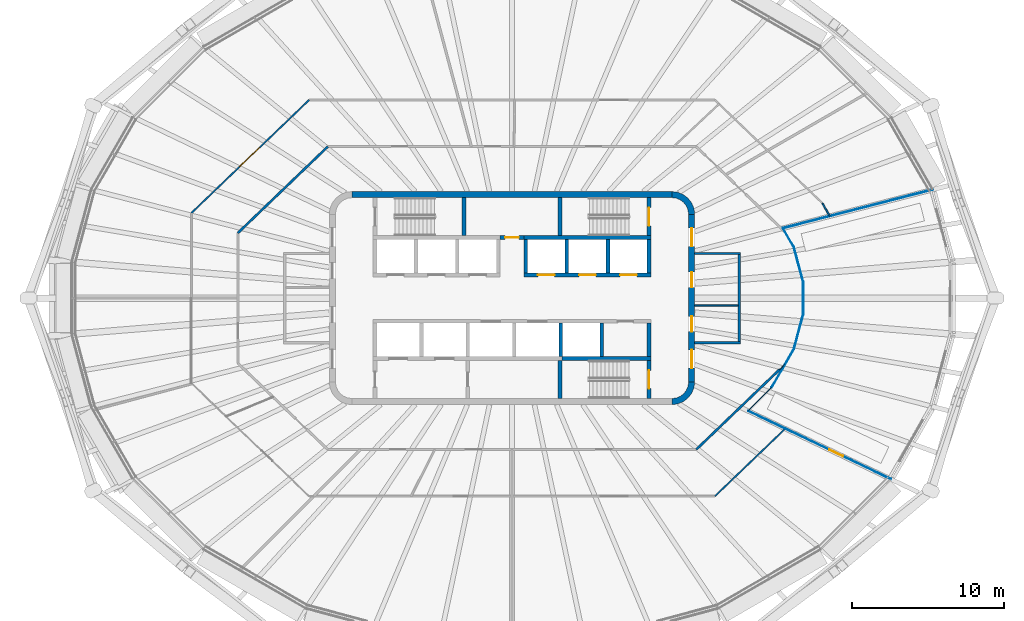
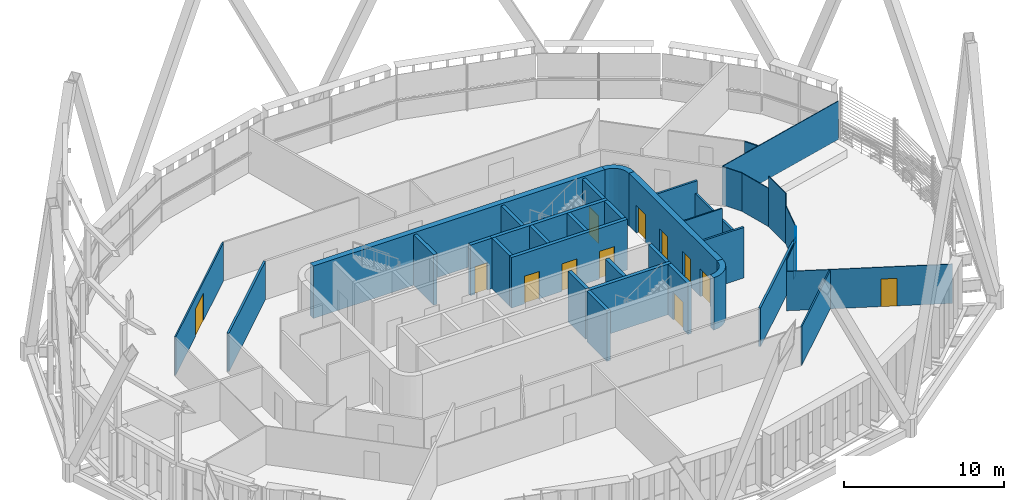
# One storey, part 13 of 22: 38 walls, 12 doors, 12 openings.
"""IFC4 building model written with IfcOpenShell, lengths in metres."""

from ifc_helpers import new_model, si_unit, direction, frame, frame_2d, origin, place, context, subcontext, project, spatial, polyline, rectangle, outline, extrude, material, layer, layer_set, type_object, element, fill, save


model = new_model("IFC4")

# Units and contexts
model_context = context("Model", 3, precision=1e-05, world=origin(), true_north=direction((0.0, 1.0)))
body_context = subcontext(model_context, "Body", "Model", "MODEL_VIEW")
ifc_project = project(units=[si_unit("LENGTHUNIT", "METRE"), si_unit("AREAUNIT", "SQUARE_METRE"), si_unit("VOLUMEUNIT", "CUBIC_METRE"), si_unit("PLANEANGLEUNIT", "RADIAN"), si_unit("MASSUNIT", "GRAM", prefix="KILO")], contexts=[model_context])

# Site, building, storey
site_placement = place(None, origin())
site = spatial("IfcSite", under=ifc_project, at=site_placement, CompositionType="ELEMENT")
building_placement = place(site_placement, origin())
building = spatial("IfcBuilding", under=site, at=building_placement, Name="Sahrelin Media Tower", CompositionType="ELEMENT")
storey_placement = place(building_placement, frame((0.0, 0.0, 283.0)))
storey = spatial("IfcBuildingStorey", under=building, at=storey_placement, Name="L62", CompositionType="ELEMENT", Elevation=283.0)

# Wall
ifc_material_1 = material(Name="Concrete C60/75", Category="concrete")
ifc_layer_1 = layer(ifc_material_1, 0.39990234375)
ifc_layer_set_1 = layer_set([ifc_layer_1], Name="Core wall 400")
wall_type_1 = type_object("IfcWallType", Name="Core wall 400", PredefinedType="SHEAR", material=ifc_layer_set_1)
wall_1_placement = place(storey_placement, frame((-10.5, 6.800048828125, 0.0), z_axis=(0.0, 0.0, 1.0), x_axis=(1.0, 0.0, 0.0)))
element("IfcWall", 1, at=wall_1_placement, inside=storey, type_object=wall_type_1, Name="Core wall N L62", PredefinedType="SHEAR", context=body_context, shape_type="SweptSolid", body=[
    extrude(rectangle(XDim=21.0, YDim=0.39990234375, at=frame_2d((10.5, 0.0))), origin(), (0.0, 0.0, 1.0), 4.0),
])

# Wall, openings, doors
wall_2_placement = place(storey_placement, frame((11.800048828125, -5.5, 0.0), z_axis=(0.0, 0.0, 1.0), x_axis=(0.0, 1.0, 0.0)))
wall_2 = element("IfcWall", 2, at=wall_2_placement, inside=storey, type_object=wall_type_1, Name="Core wall E L62", PredefinedType="SHEAR", context=body_context, shape_type="SweptSolid", body=[
    extrude(rectangle(XDim=11.0, YDim=0.39990234375, at=frame_2d((5.5, 0.0))), origin(), (0.0, 0.0, 1.0), 4.0),
])
opening_1_placement = place(wall_2_placement, frame((3.300048828125, 0.0, 0.0)))
opening_1 = element("IfcOpeningElement", 3, at=opening_1_placement, cuts=wall_2, Name="Opening L62-D10", PredefinedType="OPENING", context=body_context, shape_type="SweptSolid", body=[
    extrude(rectangle(XDim=1.0, YDim=2.10009765625, at=frame_2d((0.5, 1.050048828125))), frame((0.0, 0.199951171875, 0.0), z_axis=(0.0, -1.0, 0.0), x_axis=(1.0, 0.0, 0.0)), (0.0, 0.0, 1.0), 0.39990234375),
])
opening_2_placement = place(wall_2_placement, frame((6.199951171875, 0.0, 0.0)))
opening_2 = element("IfcOpeningElement", 4, at=opening_2_placement, cuts=wall_2, Name="Opening L62-D11", PredefinedType="OPENING", context=body_context, shape_type="SweptSolid", body=[
    extrude(rectangle(XDim=1.0, YDim=2.10009765625, at=frame_2d((0.5, 1.050048828125))), frame((0.0, 0.199951171875, 0.0), z_axis=(0.0, -1.0, 0.0), x_axis=(1.0, 0.0, 0.0)), (0.0, 0.0, 1.0), 0.39990234375),
])
opening_3_placement = place(wall_2_placement, frame((0.89990234375, 0.0, 0.0)))
opening_3 = element("IfcOpeningElement", 5, at=opening_3_placement, cuts=wall_2, Name="Opening L62-D14", PredefinedType="OPENING", context=body_context, shape_type="SweptSolid", body=[
    extrude(rectangle(XDim=1.199951171875, YDim=2.10009765625, at=frame_2d((0.60009765625, 1.050048828125))), frame((0.0, 0.199951171875, 0.0), z_axis=(0.0, -1.0, 0.0), x_axis=(1.0, 0.0, 0.0)), (0.0, 0.0, 1.0), 0.39990234375),
])
opening_4_placement = place(wall_2_placement, frame((8.89990234375, 0.0, 0.0)))
opening_4 = element("IfcOpeningElement", 6, at=opening_4_placement, cuts=wall_2, Name="Opening L62-D15", PredefinedType="OPENING", context=body_context, shape_type="SweptSolid", body=[
    extrude(rectangle(XDim=1.199951171875, YDim=2.10009765625, at=frame_2d((0.60009765625, 1.050048828125))), frame((0.0, 0.199951171875, 0.0), z_axis=(0.0, -1.0, 0.0), x_axis=(1.0, 0.0, 0.0)), (0.0, 0.0, 1.0), 0.39990234375),
])
ifc_material_2 = material(Name="Steel fire door leaf", Category="steel")
door_type_1 = type_object("IfcDoorType", Name="Fire door 1000 x 2100 EI 60", OperationType="NOTDEFINED", PredefinedType="DOOR", material=ifc_material_2)
door_1_placement = place(opening_1_placement, origin())
door_1 = element("IfcDoor", 7, at=door_1_placement, inside=storey, type_object=door_type_1, Name="Core room door", OperationType="SINGLE_SWING_RIGHT", OverallHeight=2.10009765625, OverallWidth=1.0, PredefinedType="DOOR", context=body_context, shape_type="SweptSolid", body=[
    extrude(rectangle(XDim=1.0, YDim=2.10009765625, at=frame_2d((0.5, 1.050048828125))), frame((0.0, 0.02490234375, 0.0), z_axis=(0.0, -1.0, 0.0), x_axis=(1.0, 0.0, 0.0)), (0.0, 0.0, 1.0), 0.050048828125),
])
fill(opening_1, door_1)
door_2_placement = place(opening_2_placement, origin())
door_2 = element("IfcDoor", 8, at=door_2_placement, inside=storey, type_object=door_type_1, Name="Core room door", OperationType="SINGLE_SWING_RIGHT", OverallHeight=2.10009765625, OverallWidth=1.0, PredefinedType="DOOR", context=body_context, shape_type="SweptSolid", body=[
    extrude(rectangle(XDim=1.0, YDim=2.10009765625, at=frame_2d((0.5, 1.050048828125))), frame((0.0, 0.02490234375, 0.0), z_axis=(0.0, -1.0, 0.0), x_axis=(1.0, 0.0, 0.0)), (0.0, 0.0, 1.0), 0.050048828125),
])
fill(opening_2, door_2)
door_type_2 = type_object("IfcDoorType", Name="Lobby door 1200 x 2100 EI 60", OperationType="NOTDEFINED", PredefinedType="DOOR", material=ifc_material_2)
door_3_placement = place(opening_3_placement, origin())
door_3 = element("IfcDoor", 9, at=door_3_placement, inside=storey, type_object=door_type_2, Name="Lobby door", OperationType="SINGLE_SWING_LEFT", OverallHeight=2.10009765625, OverallWidth=1.199951171875, PredefinedType="DOOR", context=body_context, shape_type="SweptSolid", body=[
    extrude(rectangle(XDim=1.199951171875, YDim=2.10009765625, at=frame_2d((0.60009765625, 1.050048828125))), frame((0.0, 0.02490234375, 0.0), z_axis=(0.0, -1.0, 0.0), x_axis=(1.0, 0.0, 0.0)), (0.0, 0.0, 1.0), 0.050048828125),
])
fill(opening_3, door_3)
door_4_placement = place(opening_4_placement, origin())
door_4 = element("IfcDoor", 10, at=door_4_placement, inside=storey, type_object=door_type_2, Name="Lobby door", OperationType="SINGLE_SWING_LEFT", OverallHeight=2.10009765625, OverallWidth=1.199951171875, PredefinedType="DOOR", context=body_context, shape_type="SweptSolid", body=[
    extrude(rectangle(XDim=1.199951171875, YDim=2.10009765625, at=frame_2d((0.60009765625, 1.050048828125))), frame((0.0, 0.02490234375, 0.0), z_axis=(0.0, -1.0, 0.0), x_axis=(1.0, 0.0, 0.0)), (0.0, 0.0, 1.0), 0.050048828125),
])
fill(opening_4, door_4)

# Walls
placement = place(storey_placement, origin())
element("IfcWall", 11, at=placement, inside=storey, type_object=wall_type_1, Name="Core wall corner NE L62", PredefinedType="SHEAR", context=body_context, shape_type="SweptSolid", body=[
    extrude(outline(polyline([(10.5, 7.0), (10.5, 6.596435546875), (10.78369140625, 6.55908203125), (11.04833984375, 6.44970703125), (11.275390625, 6.275390625), (11.44970703125, 6.04833984375), (11.55908203125, 5.78369140625), (11.596435546875, 5.5), (12.0, 5.5), (11.948974609375, 5.88818359375), (11.799072265625, 6.25), (11.560791015625, 6.560791015625), (11.25, 6.799072265625), (10.88818359375, 6.948974609375), (10.5, 7.0)])), origin(), (0.0, 0.0, 1.0), 4.0),
])
element("IfcWall", 12, at=placement, inside=storey, type_object=wall_type_1, Name="Core wall corner SE L62", PredefinedType="SHEAR", context=body_context, shape_type="SweptSolid", body=[
    extrude(outline(polyline([(12.0, -5.5), (11.596435546875, -5.5), (11.55908203125, -5.78369140625), (11.44970703125, -6.04833984375), (11.275390625, -6.275390625), (11.04833984375, -6.44970703125), (10.78369140625, -6.55908203125), (10.5, -6.596435546875), (10.5, -7.0), (10.88818359375, -6.948974609375), (11.25, -6.799072265625), (11.560791015625, -6.560791015625), (11.799072265625, -6.25), (11.948974609375, -5.88818359375), (12.0, -5.5)])), origin(), (0.0, 0.0, 1.0), 4.0),
])

# Wall, opening, door
ifc_material_3 = material(Name="Fire-rated gypsum board partition")
ifc_layer_2 = layer(ifc_material_3, 0.25)
ifc_layer_set_2 = layer_set([ifc_layer_2], Name="Fire-rated lobby wall 250")
wall_type_2 = type_object("IfcWallType", Name="Fire-rated lobby wall 250", PredefinedType="PARTITIONING", material=ifc_layer_set_2)
wall_5_placement = place(storey_placement, frame((-0.77490234375, 3.97509765625, 0.0), z_axis=(0.0, 0.0, 1.0), x_axis=(1.0, 0.0, 0.0)))
wall_5 = element("IfcWall", 13, at=wall_5_placement, inside=storey, type_object=wall_type_2, Name="Core lobby wall", PredefinedType="PARTITIONING", context=body_context, shape_type="SweptSolid", body=[
    extrude(rectangle(XDim=1.5498046875, YDim=0.25, at=frame_2d((0.77490234375, 0.0))), origin(), (0.0, 0.0, 1.0), 3.85009765625),
])
opening_5_placement = place(wall_5_placement, frame((0.324951171875, 0.0, 0.0)))
opening_5 = element("IfcOpeningElement", 14, at=opening_5_placement, cuts=wall_5, Name="Opening L62-D06", PredefinedType="OPENING", context=body_context, shape_type="SweptSolid", body=[
    extrude(rectangle(XDim=0.89990234375, YDim=2.10009765625, at=frame_2d((0.449951171875, 1.050048828125))), frame((0.0, 0.125, 0.0), z_axis=(0.0, -1.0, 0.0), x_axis=(1.0, 0.0, 0.0)), (0.0, 0.0, 1.0), 0.25),
])
door_type_3 = type_object("IfcDoorType", Name="Riser door 900 x 2100 EI 120", OperationType="NOTDEFINED", PredefinedType="DOOR", material=ifc_material_2)
door_5_placement = place(opening_5_placement, origin())
door_5 = element("IfcDoor", 15, at=door_5_placement, inside=storey, type_object=door_type_3, Name="Core room door", OperationType="SINGLE_SWING_LEFT", OverallHeight=2.10009765625, OverallWidth=0.89990234375, PredefinedType="DOOR", context=body_context, shape_type="SweptSolid", body=[
    extrude(rectangle(XDim=0.89990234375, YDim=2.10009765625, at=frame_2d((0.449951171875, 1.050048828125))), frame((0.0, 0.02490234375, 0.0), z_axis=(0.0, -1.0, 0.0), x_axis=(1.0, 0.0, 0.0)), (0.0, 0.0, 1.0), 0.050048828125),
])
fill(opening_5, door_5)

# Walls
ifc_layer_3 = layer(ifc_material_3, 0.10009765625)
ifc_layer_set_3 = layer_set([ifc_layer_3], Name="Fire-rated partition 100")
wall_type_3 = type_object("IfcWallType", Name="Fire-rated partition 100", PredefinedType="PARTITIONING", material=ifc_layer_set_3)
wall_6_placement = place(storey_placement, frame((12.0, -0.5, 0.0), z_axis=(0.0, 0.0, 1.0), x_axis=(1.0, 0.0, 0.0)))
element("IfcWall", 16, at=wall_6_placement, inside=storey, type_object=wall_type_3, Name="Core room partition", PredefinedType="PARTITIONING", context=body_context, shape_type="SweptSolid", body=[
    extrude(rectangle(XDim=2.85009765625, YDim=0.10009765625, at=frame_2d((1.425048828125, 0.0))), origin(), (0.0, 0.0, 1.0), 3.85009765625),
])
ifc_layer_4 = layer(ifc_material_3, 0.14990234375)
ifc_layer_set_4 = layer_set([ifc_layer_4], Name="Fire-rated partition 150")
wall_type_4 = type_object("IfcWallType", Name="Fire-rated partition 150", PredefinedType="PARTITIONING", material=ifc_layer_set_4)
wall_7_placement = place(storey_placement, frame((14.925048828125, -2.85009765625, 0.0), z_axis=(0.0, 0.0, 1.0), x_axis=(0.0, 1.0, 0.0)))
element("IfcWall", 17, at=wall_7_placement, inside=storey, type_object=wall_type_4, Name="Core room fire partition", PredefinedType="PARTITIONING", context=body_context, shape_type="SweptSolid", body=[
    extrude(rectangle(XDim=5.7001953125, YDim=0.14990234375, at=frame_2d((2.85009765625, 0.0))), origin(), (0.0, 0.0, 1.0), 2.918212890625),
])
for number, where, z_axis, x_axis, name in (
    (18, (12.0, 2.925048828125, 0.0), (0.0, 0.0, 1.0), (1.0, 0.0, 0.0), "Core room fire partition"),
    (19, (12.0, -2.925048828125, 0.0), (0.0, 0.0, 1.0), (1.0, 0.0, 0.0), "Core room fire partition"),
):
    element("IfcWall", number, at=place(storey_placement, frame(where, z_axis=z_axis, x_axis=x_axis)), inside=storey, type_object=wall_type_4, Name=name, PredefinedType="PARTITIONING", context=body_context, shape_type="SweptSolid", body=[
        extrude(rectangle(XDim=3.0, YDim=0.14990234375, at=frame_2d((1.5, 0.0))), origin(), (0.0, 0.0, 1.0), 3.85009765625),
    ])
wall_8_placement = place(storey_placement, frame((12.094970703125, -9.948974609375, 0.0), z_axis=(0.0, 0.0, 1.0), x_axis=(0.72124492287, 0.692680129089, 0.0)))
element("IfcWall", 20, at=wall_8_placement, inside=storey, type_object=wall_type_4, Name="Wall", PredefinedType="PARTITIONING", context=body_context, shape_type="SweptSolid", body=[
    extrude(rectangle(XDim=7.572509765625, YDim=0.14990234375, at=frame_2d((3.7861328125, 0.0))), origin(), (0.0, 0.0, 1.0), 2.927001953125),
])
wall_9_placement = place(storey_placement, frame((-18.0, 4.278076171875, 0.0), z_axis=(0.0, 0.0, 1.0), x_axis=(0.721260976692, 0.69266341285, 0.0)))
element("IfcWall", 21, at=wall_9_placement, inside=storey, type_object=wall_type_4, Name="Wall", PredefinedType="PARTITIONING", context=body_context, shape_type="SweptSolid", body=[
    extrude(rectangle(XDim=8.18701171875, YDim=0.14990234375, at=frame_2d((4.093505859375, 0.0))), origin(), (0.0, 0.0, 1.0), 2.927001953125),
])
ifc_material_4 = material(Name="Clear glass", Category="glass")
ifc_layer_5 = layer(ifc_material_4, 0.050048828125)
ifc_layer_set_5 = layer_set([ifc_layer_5], Name="Glazed partition 50")
wall_type_5 = type_object("IfcWallType", Name="Glazed partition 50", PredefinedType="PARTITIONING", material=ifc_layer_set_5)
wall_10_placement = place(storey_placement, frame((18.511962890625, 3.344970703125, 0.0), z_axis=(0.0, 0.0, 1.0), x_axis=(0.25873781934, -0.965947587006, 0.0)))
element("IfcWall", 22, at=wall_10_placement, inside=storey, type_object=wall_type_5, Name="Wall", PredefinedType="PARTITIONING", context=body_context, shape_type="SweptSolid", body=[
    extrude(rectangle(XDim=2.345703125, YDim=0.050048828125, at=frame_2d((1.1728515625, 0.0))), origin(), (0.0, 0.0, 1.0), 2.918212890625),
])
wall_11_placement = place(storey_placement, frame((17.7939453125, 4.587890625, 0.0), z_axis=(0.0, 0.0, 1.0), x_axis=(0.500218089209, -0.865899453302, 0.0)))
element("IfcWall", 23, at=wall_11_placement, inside=storey, type_object=wall_type_5, Name="Wall", PredefinedType="PARTITIONING", context=body_context, shape_type="SweptSolid", body=[
    extrude(rectangle(XDim=1.435302734375, YDim=0.050048828125, at=frame_2d((0.7177734375, 0.0))), origin(), (0.0, 0.0, 1.0), 2.927001953125),
])

# Wall, opening, door
wall_12_placement = place(storey_placement, frame((15.512939453125, -7.4150390625, 0.0), z_axis=(0.0, 0.0, 1.0), x_axis=(0.902235171289, -0.431244357283, 0.0)))
wall_12 = element("IfcWall", 24, at=wall_12_placement, inside=storey, type_object=wall_type_5, Name="Wall", PredefinedType="PARTITIONING", context=body_context, shape_type="SweptSolid", body=[
    extrude(rectangle(XDim=10.39306640625, YDim=0.050048828125, at=frame_2d((5.196533203125, 0.0))), origin(), (0.0, 0.0, 1.0), 2.9951171875),
])
opening_6_placement = place(wall_12_placement, frame((5.892578125, 0.0, 0.0)))
opening_6 = element("IfcOpeningElement", 25, at=opening_6_placement, cuts=wall_12, Name="Opening L62-D33", PredefinedType="OPENING", context=body_context, shape_type="SweptSolid", body=[
    extrude(rectangle(XDim=1.0, YDim=2.10009765625, at=frame_2d((0.5, 1.050048828125))), frame((0.0, 0.02490234375, 0.0), z_axis=(0.0, -1.0, 0.0), x_axis=(1.0, 0.0, 0.0)), (0.0, 0.0, 1.0), 0.050048828125),
])
door_type_4 = type_object("IfcDoorType", Name="Glazed door 1000 x 2100", OperationType="NOTDEFINED", PredefinedType="DOOR", material=ifc_material_4)
door_6_placement = place(opening_6_placement, origin())
door_6 = element("IfcDoor", 26, at=door_6_placement, inside=storey, type_object=door_type_4, Name="Glazed door", OperationType="SINGLE_SWING_RIGHT", OverallHeight=2.10009765625, OverallWidth=1.0, PredefinedType="DOOR", context=body_context, shape_type="SweptSolid", body=[
    extrude(rectangle(XDim=1.0, YDim=2.10009765625, at=frame_2d((0.5, 1.050048828125))), frame((0.0, 0.02490234375, 0.0), z_axis=(0.0, -1.0, 0.0), x_axis=(1.0, 0.0, 0.0)), (0.0, 0.0, 1.0), 0.049560546875),
])
fill(opening_6, door_6)

# Walls
wall_13_placement = place(storey_placement, frame((17.7939453125, 4.587890625, 0.0), z_axis=(0.0, 0.0, 1.0), x_axis=(0.968309909649, 0.249751714458, 0.0)))
element("IfcWall", 27, at=wall_13_placement, inside=storey, type_object=wall_type_5, Name="Wall", PredefinedType="PARTITIONING", context=body_context, shape_type="SweptSolid", body=[
    extrude(rectangle(XDim=10.172119140625, YDim=0.050048828125, at=frame_2d((5.0859375, 0.0))), origin(), (0.0, 0.0, 1.0), 2.927001953125),
])
wall_14_placement = place(storey_placement, frame((17.556884765625, -4.7041015625, 0.0), z_axis=(0.0, 0.0, 1.0), x_axis=(0.721018953934, 0.692915339755, 0.0)))
element("IfcWall", 28, at=wall_14_placement, inside=storey, type_object=wall_type_5, Name="Wall", PredefinedType="PARTITIONING", context=body_context, shape_type="SweptSolid", body=[
    extrude(rectangle(XDim=0.530029296875, YDim=0.050048828125, at=frame_2d((0.26513671875, 0.0))), origin(), (0.0, 0.0, 1.0), 2.927001953125),
])
wall_15_placement = place(storey_placement, frame((15.512939453125, -7.4150390625, 0.0), z_axis=(0.0, 0.0, 1.0), x_axis=(0.707106781187, 0.707106781187, 0.0)))
element("IfcWall", 29, at=wall_15_placement, inside=storey, type_object=wall_type_5, Name="Wall", PredefinedType="PARTITIONING", context=body_context, shape_type="SweptSolid", body=[
    extrude(rectangle(XDim=2.171142578125, YDim=0.050048828125, at=frame_2d((1.08544921875, 0.0))), origin(), (0.0, 0.0, 1.0), 3.85009765625),
])
wall_16_placement = place(storey_placement, frame((17.048095703125, -5.8798828125, 0.0), z_axis=(0.0, 0.0, 1.0), x_axis=(0.499987164874, 0.866032814021, 0.0)))
element("IfcWall", 30, at=wall_16_placement, inside=storey, type_object=wall_type_5, Name="Wall", PredefinedType="PARTITIONING", context=body_context, shape_type="SweptSolid", body=[
    extrude(rectangle(XDim=2.92724609375, YDim=0.050048828125, at=frame_2d((1.463623046875, 0.0))), origin(), (0.0, 0.0, 1.0), 2.927001953125),
])
wall_17_placement = place(storey_placement, frame((18.511962890625, -3.344970703125, 0.0), z_axis=(0.0, 0.0, 1.0), x_axis=(0.25873781934, 0.965947587006, 0.0)))
element("IfcWall", 31, at=wall_17_placement, inside=storey, type_object=wall_type_5, Name="Wall", PredefinedType="PARTITIONING", context=body_context, shape_type="SweptSolid", body=[
    extrude(rectangle(XDim=2.345703125, YDim=0.050048828125, at=frame_2d((1.1728515625, 0.0))), origin(), (0.0, 0.0, 1.0), 2.918212890625),
])
wall_18_placement = place(storey_placement, frame((19.118896484375, -1.0791015625, 0.0), z_axis=(0.0, 0.0, 1.0), x_axis=(0.0, 1.0, 0.0)))
element("IfcWall", 32, at=wall_18_placement, inside=storey, type_object=wall_type_5, Name="Wall", PredefinedType="PARTITIONING", context=body_context, shape_type="SweptSolid", body=[
    extrude(rectangle(XDim=2.158203125, YDim=0.050048828125, at=frame_2d((1.0791015625, 0.0))), origin(), (0.0, 0.0, 1.0), 3.85009765625),
])

# Wall, openings, doors
ifc_layer_6 = layer(ifc_material_1, 0.25)
ifc_layer_set_6 = layer_set([ifc_layer_6], Name="Lift shaft wall 250")
wall_type_6 = type_object("IfcWallType", Name="Lift shaft wall 250", PredefinedType="SOLIDWALL", material=ifc_layer_set_6)
wall_19_placement = place(storey_placement, frame((0.77490234375, 1.52490234375, 0.0), z_axis=(0.0, 0.0, 1.0), x_axis=(1.0, 0.0, 0.0)))
wall_19 = element("IfcWall", 33, at=wall_19_placement, inside=storey, type_object=wall_type_6, Name="Lift shaft wall", PredefinedType="SOLIDWALL", context=body_context, shape_type="SweptSolid", body=[
    extrude(rectangle(XDim=8.35009765625, YDim=0.25, at=frame_2d((4.175048828125, 0.0))), origin(), (0.0, 0.0, 1.0), 3.85009765625),
])
opening_7_placement = place(wall_19_placement, frame((0.925048828125, 0.0, 0.0)))
opening_7 = element("IfcOpeningElement", 34, at=opening_7_placement, cuts=wall_19, Name="Opening L62-LD-HR4", PredefinedType="OPENING", context=body_context, shape_type="SweptSolid", body=[
    extrude(rectangle(XDim=1.10009765625, YDim=2.10009765625, at=frame_2d((0.550048828125, 1.050048828125))), frame((0.0, 0.125, 0.0), z_axis=(0.0, -1.0, 0.0), x_axis=(1.0, 0.0, 0.0)), (0.0, 0.0, 1.0), 0.25),
])
opening_8_placement = place(wall_19_placement, frame((3.625, 0.0, 0.0)))
opening_8 = element("IfcOpeningElement", 35, at=opening_8_placement, cuts=wall_19, Name="Opening L62-LD-HR5", PredefinedType="OPENING", context=body_context, shape_type="SweptSolid", body=[
    extrude(rectangle(XDim=1.10009765625, YDim=2.10009765625, at=frame_2d((0.550048828125, 1.050048828125))), frame((0.0, 0.125, 0.0), z_axis=(0.0, -1.0, 0.0), x_axis=(1.0, 0.0, 0.0)), (0.0, 0.0, 1.0), 0.25),
])
opening_9_placement = place(wall_19_placement, frame((6.324951171875, 0.0, 0.0)))
opening_9 = element("IfcOpeningElement", 36, at=opening_9_placement, cuts=wall_19, Name="Opening L62-LD-HR6", PredefinedType="OPENING", context=body_context, shape_type="SweptSolid", body=[
    extrude(rectangle(XDim=1.10009765625, YDim=2.10009765625, at=frame_2d((0.550048828125, 1.050048828125))), frame((0.0, 0.125, 0.0), z_axis=(0.0, -1.0, 0.0), x_axis=(1.0, 0.0, 0.0)), (0.0, 0.0, 1.0), 0.25),
])
ifc_material_5 = material(Name="Stainless steel", Category="steel")
door_type_5 = type_object("IfcDoorType", Name="Lift landing door 1100 x 2100 EI 120", OperationType="DOUBLE_DOOR_SLIDING", PredefinedType="DOOR", material=ifc_material_5)
door_7_placement = place(opening_7_placement, origin())
door_7 = element("IfcDoor", 37, at=door_7_placement, inside=storey, type_object=door_type_5, Name="Lift landing door HR4", OperationType="DOUBLE_DOOR_SLIDING", OverallHeight=2.10009765625, OverallWidth=1.10009765625, PredefinedType="DOOR", context=body_context, shape_type="SweptSolid", body=[
    extrude(rectangle(XDim=1.10009765625, YDim=2.10009765625, at=frame_2d((0.550048828125, 1.050048828125))), frame((0.0, 0.02490234375, 0.0), z_axis=(0.0, -1.0, 0.0), x_axis=(1.0, 0.0, 0.0)), (0.0, 0.0, 1.0), 0.050048828125),
])
fill(opening_7, door_7)
door_8_placement = place(opening_8_placement, origin())
door_8 = element("IfcDoor", 38, at=door_8_placement, inside=storey, type_object=door_type_5, Name="Lift landing door HR5", OperationType="DOUBLE_DOOR_SLIDING", OverallHeight=2.10009765625, OverallWidth=1.10009765625, PredefinedType="DOOR", context=body_context, shape_type="SweptSolid", body=[
    extrude(rectangle(XDim=1.10009765625, YDim=2.10009765625, at=frame_2d((0.550048828125, 1.050048828125))), frame((0.0, 0.02490234375, 0.0), z_axis=(0.0, -1.0, 0.0), x_axis=(1.0, 0.0, 0.0)), (0.0, 0.0, 1.0), 0.050048828125),
])
fill(opening_8, door_8)
door_9_placement = place(opening_9_placement, origin())
door_9 = element("IfcDoor", 39, at=door_9_placement, inside=storey, type_object=door_type_5, Name="Lift landing door HR6", OperationType="DOUBLE_DOOR_SLIDING", OverallHeight=2.10009765625, OverallWidth=1.10009765625, PredefinedType="DOOR", context=body_context, shape_type="SweptSolid", body=[
    extrude(rectangle(XDim=1.10009765625, YDim=2.10009765625, at=frame_2d((0.550048828125, 1.050048828125))), frame((0.0, 0.02490234375, 0.0), z_axis=(0.0, -1.0, 0.0), x_axis=(1.0, 0.0, 0.0)), (0.0, 0.0, 1.0), 0.050048828125),
])
fill(opening_9, door_9)

# Walls
wall_20_placement = place(storey_placement, frame((0.77490234375, 3.97509765625, 0.0), z_axis=(0.0, 0.0, 1.0), x_axis=(1.0, 0.0, 0.0)))
element("IfcWall", 40, at=wall_20_placement, inside=storey, type_object=wall_type_6, Name="Lift shaft wall", PredefinedType="SOLIDWALL", context=body_context, shape_type="SweptSolid", body=[
    extrude(rectangle(XDim=8.35009765625, YDim=0.25, at=frame_2d((4.175048828125, 0.0))), origin(), (0.0, 0.0, 1.0), 3.85009765625),
])
for number, where, z_axis, x_axis, name in (
    (41, (9.0, 1.64990234375, 0.0), (0.0, 0.0, 1.0), (0.0, 1.0, 0.0), "Lift shaft wall"),
    (42, (6.300048828125, 1.64990234375, 0.0), (0.0, 0.0, 1.0), (0.0, 1.0, 0.0), "Lift shaft wall"),
    (43, (3.60009765625, 1.64990234375, 0.0), (0.0, 0.0, 1.0), (0.0, 1.0, 0.0), "Lift shaft wall"),
    (44, (0.89990234375, 1.64990234375, 0.0), (0.0, 0.0, 1.0), (0.0, 1.0, 0.0), "Lift shaft wall"),
):
    element("IfcWall", number, at=place(storey_placement, frame(where, z_axis=z_axis, x_axis=x_axis)), inside=storey, type_object=wall_type_6, Name=name, PredefinedType="SOLIDWALL", context=body_context, shape_type="SweptSolid", body=[
        extrude(rectangle(XDim=2.2001953125, YDim=0.25, at=frame_2d((1.10009765625, 0.0))), origin(), (0.0, 0.0, 1.0), 3.85009765625),
    ])
wall_21_placement = place(storey_placement, frame((3.27490234375, -3.97509765625, 0.0), z_axis=(0.0, 0.0, 1.0), x_axis=(1.0, 0.0, 0.0)))
element("IfcWall", 45, at=wall_21_placement, inside=storey, type_object=wall_type_6, Name="Lift shaft wall", PredefinedType="SOLIDWALL", context=body_context, shape_type="SweptSolid", body=[
    extrude(rectangle(XDim=5.85009765625, YDim=0.25, at=frame_2d((2.925048828125, 0.0))), origin(), (0.0, 0.0, 1.0), 3.85009765625),
])
for number, where, z_axis, x_axis, name in (
    (46, (3.199951171875, -3.85009765625, 0.0), (0.0, 0.0, 1.0), (0.0, 1.0, 0.0), "Lift shaft wall"),
    (47, (5.89990234375, -3.85009765625, 0.0), (0.0, 0.0, 1.0), (0.0, 1.0, 0.0), "Lift shaft wall"),
    (48, (9.0, -3.85009765625, 0.0), (0.0, 0.0, 1.0), (0.0, 1.0, 0.0), "Lift shaft wall"),
):
    element("IfcWall", number, at=place(storey_placement, frame(where, z_axis=z_axis, x_axis=x_axis)), inside=storey, type_object=wall_type_6, Name=name, PredefinedType="SOLIDWALL", context=body_context, shape_type="SweptSolid", body=[
        extrude(rectangle(XDim=2.2001953125, YDim=0.25, at=frame_2d((1.10009765625, 0.0))), origin(), (0.0, 0.0, 1.0), 3.85009765625),
    ])
ifc_material_6 = material(Name="Gypsum board partition")
ifc_layer_7 = layer(ifc_material_6, 0.10009765625)
ifc_layer_set_7 = layer_set([ifc_layer_7], Name="Partition 100")
wall_type_7 = type_object("IfcWallType", Name="Partition 100", PredefinedType="PARTITIONING", material=ifc_layer_set_7)
wall_22_placement = place(storey_placement, frame((20.3779296875, 6.237060546875, 0.0), z_axis=(0.0, 0.0, 1.0), x_axis=(0.496805235927, -0.867862061365, 0.0)))
element("IfcWall", 49, at=wall_22_placement, inside=storey, type_object=wall_type_7, Name="Wall", PredefinedType="PARTITIONING", context=body_context, shape_type="SweptSolid", body=[
    extrude(rectangle(XDim=0.986328125, YDim=0.10009765625, at=frame_2d((0.4931640625, 0.0))), origin(), (0.0, 0.0, 1.0), 2.927001953125),
])
wall_23_placement = place(storey_placement, frame((13.325927734375, -13.009033203125, 0.0), z_axis=(0.0, 0.0, 1.0), x_axis=(0.721285926425, 0.692637432097, 0.0)))
element("IfcWall", 50, at=wall_23_placement, inside=storey, type_object=wall_type_7, Name="Wall", PredefinedType="PARTITIONING", context=body_context, shape_type="SweptSolid", body=[
    extrude(rectangle(XDim=6.39990234375, YDim=0.10009765625, at=frame_2d((3.199951171875, 0.0))), origin(), (0.0, 0.0, 1.0), 2.927001953125),
])

# Wall, opening, door
wall_24_placement = place(storey_placement, frame((-21.06005859375, 5.58203125, 0.0), z_axis=(0.0, 0.0, 1.0), x_axis=(0.721272196522, 0.692651729604, 0.0)))
wall_24 = element("IfcWall", 51, at=wall_24_placement, inside=storey, type_object=wall_type_7, Name="Wall", PredefinedType="PARTITIONING", context=body_context, shape_type="SweptSolid", body=[
    extrude(rectangle(XDim=10.72265625, YDim=0.10009765625, at=frame_2d((5.361328125, 0.0))), origin(), (0.0, 0.0, 1.0), 2.927001953125),
])
opening_10_placement = place(wall_24_placement, frame((4.410888671875, 0.0, 0.0)))
opening_10 = element("IfcOpeningElement", 52, at=opening_10_placement, cuts=wall_24, Name="Opening L62-D25", PredefinedType="OPENING", context=body_context, shape_type="SweptSolid", body=[
    extrude(rectangle(XDim=1.800048828125, YDim=2.10009765625, at=frame_2d((0.89990234375, 1.050048828125))), frame((0.0, 0.050048828125, 0.0), z_axis=(0.0, -1.0, 0.0), x_axis=(1.0, 0.0, 0.0)), (0.0, 0.0, 1.0), 0.10009765625),
])
ifc_material_7 = material(Name="Timber door leaf", Category="wood")
door_type_6 = type_object("IfcDoorType", Name="Double door 1800 x 2100", OperationType="DOUBLE_DOOR_SINGLE_SWING", PredefinedType="DOOR", material=ifc_material_7)
door_10_placement = place(opening_10_placement, origin())
door_10 = element("IfcDoor", 53, at=door_10_placement, inside=storey, type_object=door_type_6, Name="Double door", OperationType="DOUBLE_DOOR_SINGLE_SWING", OverallHeight=2.10009765625, OverallWidth=1.800048828125, PredefinedType="DOOR", context=body_context, shape_type="SweptSolid", body=[
    extrude(rectangle(XDim=1.800048828125, YDim=2.10009765625, at=frame_2d((0.89990234375, 1.050048828125))), frame((0.0, 0.02490234375, 0.0), z_axis=(0.0, -1.0, 0.0), x_axis=(1.0, 0.0, 0.0)), (0.0, 0.0, 1.0), 0.050048828125),
])
fill(opening_10, door_10)

ifc_layer_8 = layer(ifc_material_1, 0.25)
ifc_layer_set_8 = layer_set([ifc_layer_8], Name="Stair enclosure wall 250")
wall_type_8 = type_object("IfcWallType", Name="Stair enclosure wall 250", PredefinedType="SOLIDWALL", material=ifc_layer_set_8)
wall_25_placement = place(storey_placement, frame((9.0, 4.10009765625, 0.0), z_axis=(0.0, 0.0, 1.0), x_axis=(0.0, 1.0, 0.0)))
wall_25 = element("IfcWall", 54, at=wall_25_placement, inside=storey, type_object=wall_type_8, Name="Stair enclosure wall", PredefinedType="SOLIDWALL", context=body_context, shape_type="SweptSolid", body=[
    extrude(rectangle(XDim=2.5, YDim=0.25, at=frame_2d((1.25, 0.0))), origin(), (0.0, 0.0, 1.0), 3.85009765625),
])
opening_11_placement = place(wall_25_placement, frame((0.64990234375, 0.0, 0.0)))
opening_11 = element("IfcOpeningElement", 55, at=opening_11_placement, cuts=wall_25, Name="Opening L62-D02", PredefinedType="OPENING", context=body_context, shape_type="SweptSolid", body=[
    extrude(rectangle(XDim=1.199951171875, YDim=2.10009765625, at=frame_2d((0.60009765625, 1.050048828125))), frame((0.0, 0.125, 0.0), z_axis=(0.0, -1.0, 0.0), x_axis=(1.0, 0.0, 0.0)), (0.0, 0.0, 1.0), 0.25),
])
door_type_7 = type_object("IfcDoorType", Name="Stair door 1200 x 2100 EI 120", OperationType="NOTDEFINED", PredefinedType="DOOR", material=ifc_material_2)
door_11_placement = place(opening_11_placement, origin())
door_11 = element("IfcDoor", 56, at=door_11_placement, inside=storey, type_object=door_type_7, Name="Stair door ST3", OperationType="SINGLE_SWING_LEFT", OverallHeight=2.10009765625, OverallWidth=1.199951171875, PredefinedType="DOOR", context=body_context, shape_type="SweptSolid", body=[
    extrude(rectangle(XDim=1.199951171875, YDim=2.10009765625, at=frame_2d((0.60009765625, 1.050048828125))), frame((0.0, 0.02490234375, 0.0), z_axis=(0.0, -1.0, 0.0), x_axis=(1.0, 0.0, 0.0)), (0.0, 0.0, 1.0), 0.050048828125),
])
fill(opening_11, door_11)

wall_26_placement = place(storey_placement, frame((9.0, -6.60009765625, 0.0), z_axis=(0.0, 0.0, 1.0), x_axis=(0.0, 1.0, 0.0)))
wall_26 = element("IfcWall", 57, at=wall_26_placement, inside=storey, type_object=wall_type_8, Name="Stair enclosure wall", PredefinedType="SOLIDWALL", context=body_context, shape_type="SweptSolid", body=[
    extrude(rectangle(XDim=2.5, YDim=0.25, at=frame_2d((1.25, 0.0))), origin(), (0.0, 0.0, 1.0), 3.85009765625),
])
opening_12_placement = place(wall_26_placement, frame((0.64990234375, 0.0, 0.0)))
opening_12 = element("IfcOpeningElement", 58, at=opening_12_placement, cuts=wall_26, Name="Opening L62-D03", PredefinedType="OPENING", context=body_context, shape_type="SweptSolid", body=[
    extrude(rectangle(XDim=1.199951171875, YDim=2.10009765625, at=frame_2d((0.60009765625, 1.050048828125))), frame((0.0, 0.125, 0.0), z_axis=(0.0, -1.0, 0.0), x_axis=(1.0, 0.0, 0.0)), (0.0, 0.0, 1.0), 0.25),
])
door_12_placement = place(opening_12_placement, origin())
door_12 = element("IfcDoor", 59, at=door_12_placement, inside=storey, type_object=door_type_7, Name="Stair door ST2", OperationType="SINGLE_SWING_LEFT", OverallHeight=2.10009765625, OverallWidth=1.199951171875, PredefinedType="DOOR", context=body_context, shape_type="SweptSolid", body=[
    extrude(rectangle(XDim=1.199951171875, YDim=2.10009765625, at=frame_2d((0.60009765625, 1.050048828125))), frame((0.0, 0.02490234375, 0.0), z_axis=(0.0, -1.0, 0.0), x_axis=(1.0, 0.0, 0.0)), (0.0, 0.0, 1.0), 0.050048828125),
])
fill(opening_12, door_12)

# Walls
for number, where, z_axis, x_axis, name in (
    (60, (-3.14990234375, 4.10009765625, 0.0), (0.0, 0.0, 1.0), (0.0, 1.0, 0.0), "Stair enclosure wall"),
    (61, (3.14990234375, 4.10009765625, 0.0), (0.0, 0.0, 1.0), (0.0, 1.0, 0.0), "Stair enclosure wall"),
    (62, (3.14990234375, -6.60009765625, 0.0), (0.0, 0.0, 1.0), (0.0, 1.0, 0.0), "Stair enclosure wall"),
):
    element("IfcWall", number, at=place(storey_placement, frame(where, z_axis=z_axis, x_axis=x_axis)), inside=storey, type_object=wall_type_8, Name=name, PredefinedType="SOLIDWALL", context=body_context, shape_type="SweptSolid", body=[
        extrude(rectangle(XDim=2.5, YDim=0.25, at=frame_2d((1.25, 0.0))), origin(), (0.0, 0.0, 1.0), 3.85009765625),
    ])

save(model, "model.ifc")
